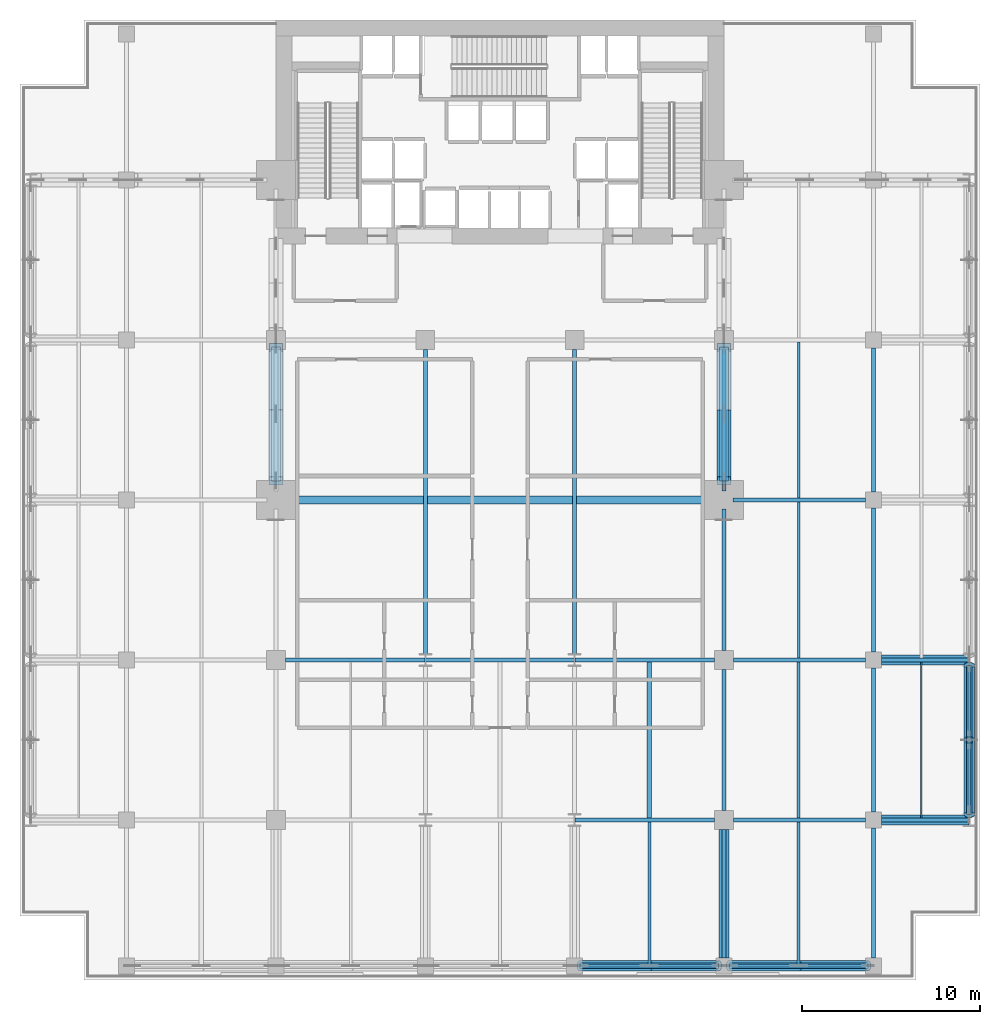
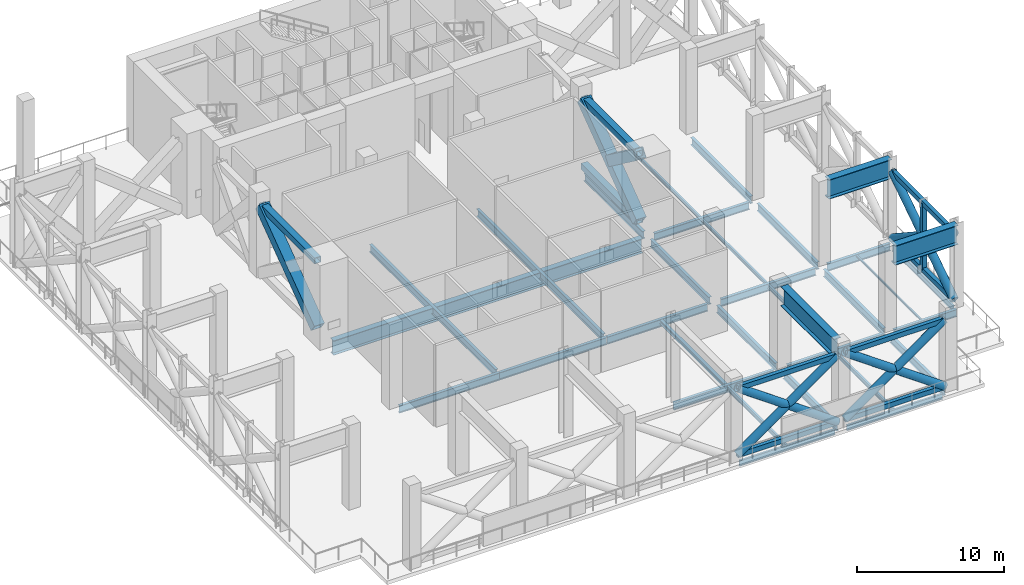
# One storey, part 3 of 16: 33 beams, 22 members.
"""IFC4 building model written with IfcOpenShell, lengths in metres."""

from ifc_helpers import new_model, si_unit, direction, frame, origin, origin_2d, place, context, subcontext, project, spatial, hollow_rectangle, hollow_circle, i_section, extrude, material, material_profile, profile_set, type_object, element, save


model = new_model("IFC4")

# Units and contexts
model_context = context("Model", 3, precision=1e-05, world=origin(), true_north=direction((0.0, 1.0)))
body_context = subcontext(model_context, "Body", "Model", "MODEL_VIEW")
ifc_project = project(units=[si_unit("LENGTHUNIT", "METRE"), si_unit("AREAUNIT", "SQUARE_METRE"), si_unit("VOLUMEUNIT", "CUBIC_METRE"), si_unit("PLANEANGLEUNIT", "RADIAN"), si_unit("MASSUNIT", "GRAM", prefix="KILO")], contexts=[model_context])

# Site, building, storey
site_placement = place(None, origin())
site = spatial("IfcSite", under=ifc_project, at=site_placement, CompositionType="ELEMENT")
building_placement = place(site_placement, origin())
building = spatial("IfcBuilding", under=site, at=building_placement, Name="Maruvema Waterfront Hotel and Observation Tower", CompositionType="ELEMENT")
storey_placement = place(building_placement, frame((0.0, 0.0, 115.5)))
storey = spatial("IfcBuildingStorey", under=building, at=storey_placement, Name="L28", CompositionType="ELEMENT", Elevation=115.5)

# Members
ifc_material_1 = material(Name="Steel ABNT NBR 7007 AR 415 (ASTM A572 Grade 50)", Category="steel")
ifc_material_profile_1 = material_profile(ifc_material_1, hollow_rectangle(XDim=0.5, YDim=0.5, WallThickness=0.028076171875, at=origin_2d()), Name="SHS500x500x28.0")
ifc_profile_set_1 = profile_set([ifc_material_profile_1], Name="Steel ABNT NBR 7007 AR 415 (ASTM A572 Grade 50)")
member_type_1 = type_object("IfcMemberType", Name="Outrigger Truss Chord SHS500x500x28.0", PredefinedType="CHORD", material=ifc_profile_set_1)
for number, where, z_axis, x_axis, name in (
    (1, (25.199951171875, 28.080078125, 5.780029296875), (0.0, 1.0, 0.0), (-1.0, 0.0, 0.0), "L28 Outrigger Truss Top Chord W1"),
    (2, (50.39990234375, 28.080078125, 0.25), (0.0, 1.0, 0.0), (-1.0, 0.0, 0.0), "L28 Outrigger Truss Bottom Chord E1"),
    (3, (50.39990234375, 28.080078125, 5.780029296875), (0.0, 1.0, 0.0), (-1.0, 0.0, 0.0), "L28 Outrigger Truss Top Chord E1"),
):
    element("IfcMember", number, at=place(storey_placement, frame(where, z_axis=z_axis, x_axis=x_axis)), inside=storey, type_object=member_type_1, Name=name, PredefinedType="CHORD", context=body_context, shape_type="SweptSolid", body=[
        extrude(hollow_rectangle(XDim=0.5, YDim=0.5, WallThickness=0.028076171875, at=origin_2d()), origin(), (0.0, 0.0, 1.0), 7.52001953125),
    ])
ifc_material_2 = material(Name="Steel ABNT NBR 7007 AR 415 (ASTM A572 Grade 50)", Category="steel")
ifc_material_profile_2 = material_profile(ifc_material_2, hollow_rectangle(XDim=0.800048828125, YDim=0.800048828125, WallThickness=0.044921875, at=origin_2d()), Name="SHS800x800x45.0")
ifc_profile_set_2 = profile_set([ifc_material_profile_2], Name="Steel ABNT NBR 7007 AR 415 (ASTM A572 Grade 50)")
member_type_2 = type_object("IfcMemberType", Name="Outrigger Truss Diagonal SHS800x800x45.0", PredefinedType="BRACE", material=ifc_profile_set_2)
for number, where, z_axis, x_axis, name in (
    (4, (25.199951171875, 28.080078125, 0.25), (0.0, 0.805620172096, 0.592432391343), (-1.0, 0.0, 0.0), "L28 Outrigger Truss Diagonal W1 Continuous A"),
    (5, (50.39990234375, 28.080078125, 0.25), (0.0, 0.805620172096, 0.592432391343), (-1.0, 0.0, 0.0), "L28 Outrigger Truss Diagonal E1 Continuous A"),
):
    element("IfcMember", number, at=place(storey_placement, frame(where, z_axis=z_axis, x_axis=x_axis)), inside=storey, type_object=member_type_2, Name=name, PredefinedType="BRACE", context=body_context, shape_type="SweptSolid", body=[
        extrude(hollow_rectangle(XDim=0.800048828125, YDim=0.800048828125, WallThickness=0.044921875, at=origin_2d()), origin(), (0.0, 0.0, 1.0), 9.33447265625),
    ])
member_1_placement = place(storey_placement, frame((50.39990234375, 31.823974609375, 3.02685546875), z_axis=(0.0, -0.805619301905, 0.592433574671), x_axis=(1.0, 0.0, 0.0)))
element("IfcMember", 6, at=member_1_placement, inside=storey, type_object=member_type_2, Name="L28 Outrigger Truss Diagonal E1 Split Upper B2", PredefinedType="BRACE", context=body_context, shape_type="SweptSolid", body=[
    extrude(hollow_rectangle(XDim=0.800048828125, YDim=0.800048828125, WallThickness=0.044921875, at=origin_2d()), origin(), (0.0, 0.0, 1.0), 4.647216796875),
])
ifc_material_3 = material(Name="Steel ABNT NBR 7007 AR 415 (ASTM A572 Grade 50)", Category="steel")
ifc_material_profile_3 = material_profile(ifc_material_3, hollow_rectangle(XDim=0.300048828125, YDim=0.39990234375, WallThickness=0.02001953125, at=origin_2d()), Name="RHS400x300x20.0")
ifc_profile_set_3 = profile_set([ifc_material_profile_3], Name="Steel ABNT NBR 7007 AR 415 (ASTM A572 Grade 50)")
member_type_3 = type_object("IfcMemberType", Name="Perimeter Belt Truss Chord RHS400x300x20.0", PredefinedType="CHORD", material=ifc_profile_set_3)
for number, where, z_axis, x_axis, name in (
    (7, (64.199951171875, 9.300048828125, 0.25), (0.0, 1.0, 0.0), (-1.0, 0.0, 0.0), "L28 Perimeter Belt Truss Chord E5"),
    (8, (64.199951171875, 9.300048828125, 5.780029296875), (0.0, 1.0, 0.0), (-1.0, 0.0, 0.0), "L28 Perimeter Belt Truss Top Chord E5"),
):
    element("IfcMember", number, at=place(storey_placement, frame(where, z_axis=z_axis, x_axis=x_axis)), inside=storey, type_object=member_type_3, Name=name, PredefinedType="CHORD", context=body_context, shape_type="SweptSolid", body=[
        extrude(hollow_rectangle(XDim=0.300048828125, YDim=0.39990234375, WallThickness=0.02001953125, at=origin_2d()), origin(), (0.0, 0.0, 1.0), 8.39990234375),
    ])
for number, where, z_axis, x_axis, name in (
    (9, (42.300048828125, 0.800048828125, 0.25), (1.0, 0.0, 0.0), (0.0, 1.0, 0.0), "L28 South Perimeter Belt Truss Chord 4"),
    (10, (42.300048828125, 0.800048828125, 5.780029296875), (1.0, 0.0, 0.0), (0.0, 1.0, 0.0), "L28 South Perimeter Belt Truss Top Chord 4"),
    (11, (50.699951171875, 0.800048828125, 0.25), (1.0, 0.0, 0.0), (0.0, 1.0, 0.0), "L28 South Perimeter Belt Truss Chord 5"),
    (12, (50.699951171875, 0.800048828125, 5.780029296875), (1.0, 0.0, 0.0), (0.0, 1.0, 0.0), "L28 South Perimeter Belt Truss Top Chord 5"),
):
    element("IfcMember", number, at=place(storey_placement, frame(where, z_axis=z_axis, x_axis=x_axis)), inside=storey, type_object=member_type_3, Name=name, PredefinedType="CHORD", context=body_context, shape_type="SweptSolid", body=[
        extrude(hollow_rectangle(XDim=0.300048828125, YDim=0.39990234375, WallThickness=0.02001953125, at=origin_2d()), origin(), (0.0, 0.0, 1.0), 7.800048828125),
    ])
ifc_material_4 = material(Name="Steel ABNT NBR 7007 AR 350 (ASTM A572 Grade 50)", Category="steel")
ifc_material_profile_4 = material_profile(ifc_material_4, hollow_circle(Radius=0.304931640625, WallThickness=0.02490234375, at=origin_2d()), Name="CHS610.0x25.0")
ifc_profile_set_4 = profile_set([ifc_material_profile_4], Name="Steel ABNT NBR 7007 AR 350 (ASTM A572 Grade 50)")
member_type_4 = type_object("IfcMemberType", Name="Perimeter Belt Truss Diagonal CHS610.0x25.0", PredefinedType="BRACE", material=ifc_profile_set_4)
member_2_placement = place(storey_placement, frame((64.199951171875, 9.300048828125, 0.25), z_axis=(0.0, 0.835244562072, 0.549878642547), x_axis=(-1.0, 0.0, 0.0)))
element("IfcMember", 13, at=member_2_placement, inside=storey, type_object=member_type_4, Name="L28 Perimeter Belt Truss Diagonal E5 Continuous A", PredefinedType="BRACE", context=body_context, shape_type="SweptSolid", body=[
    extrude(hollow_circle(Radius=0.304931640625, WallThickness=0.02490234375, at=origin_2d()), origin(), (0.0, 0.0, 1.0), 10.056884765625),
])
for number, where, z_axis, x_axis, name in (
    (14, (64.199951171875, 17.699951171875, 0.25), (0.0, -0.835260962729, 0.549853729769), (1.0, 0.0, 0.0), "L28 Perimeter Belt Truss Diagonal E5 Split Lower B1"),
    (15, (64.199951171875, 13.4833984375, 3.02587890625), (0.0, -0.835238575042, 0.549887736507), (1.0, 0.0, 0.0), "L28 Perimeter Belt Truss Diagonal E5 Split Upper B2"),
):
    element("IfcMember", number, at=place(storey_placement, frame(where, z_axis=z_axis, x_axis=x_axis)), inside=storey, type_object=member_type_4, Name=name, PredefinedType="BRACE", context=body_context, shape_type="SweptSolid", body=[
        extrude(hollow_circle(Radius=0.304931640625, WallThickness=0.02490234375, at=origin_2d()), origin(), (0.0, 0.0, 1.0), 5.008544921875),
    ])
member_3_placement = place(storey_placement, frame((42.300048828125, 0.800048828125, 0.25), z_axis=(0.815778013583, 0.0, 0.578365137741), x_axis=(0.0, 1.0, 0.0)))
element("IfcMember", 16, at=member_3_placement, inside=storey, type_object=member_type_4, Name="L28 South Perimeter Belt Truss Diagonal 4 Continuous A", PredefinedType="BRACE", context=body_context, shape_type="SweptSolid", body=[
    extrude(hollow_circle(Radius=0.304931640625, WallThickness=0.02490234375, at=origin_2d()), origin(), (0.0, 0.0, 1.0), 9.5615234375),
])
member_4_placement = place(storey_placement, frame((50.10009765625, 0.800048828125, 0.25), z_axis=(-0.815786560576, 0.0, 0.578353082108), x_axis=(0.0, -1.0, 0.0)))
element("IfcMember", 17, at=member_4_placement, inside=storey, type_object=member_type_4, Name="L28 South Perimeter Belt Truss Diagonal 4 Split Lower B1", PredefinedType="BRACE", context=body_context, shape_type="SweptSolid", body=[
    extrude(hollow_circle(Radius=0.304931640625, WallThickness=0.02490234375, at=origin_2d()), origin(), (0.0, 0.0, 1.0), 4.7607421875),
])
member_5_placement = place(storey_placement, frame((46.18359375, 0.800048828125, 3.026611328125), z_axis=(-0.815769406223, 0.0, 0.578377278141), x_axis=(0.0, -1.0, 0.0)))
element("IfcMember", 18, at=member_5_placement, inside=storey, type_object=member_type_4, Name="L28 South Perimeter Belt Truss Diagonal 4 Split Upper B2", PredefinedType="BRACE", context=body_context, shape_type="SweptSolid", body=[
    extrude(hollow_circle(Radius=0.304931640625, WallThickness=0.02490234375, at=origin_2d()), origin(), (0.0, 0.0, 1.0), 4.760498046875),
])
member_6_placement = place(storey_placement, frame((50.699951171875, 0.800048828125, 0.25), z_axis=(0.815778013583, 0.0, 0.578365137741), x_axis=(0.0, 1.0, 0.0)))
element("IfcMember", 19, at=member_6_placement, inside=storey, type_object=member_type_4, Name="L28 South Perimeter Belt Truss Diagonal 5 Continuous A", PredefinedType="BRACE", context=body_context, shape_type="SweptSolid", body=[
    extrude(hollow_circle(Radius=0.304931640625, WallThickness=0.02490234375, at=origin_2d()), origin(), (0.0, 0.0, 1.0), 9.5615234375),
])
for number, where, z_axis, x_axis, name in (
    (20, (58.5, 0.800048828125, 0.25), (-0.815786560576, 0.0, 0.578353082108), (0.0, -1.0, 0.0), "L28 South Perimeter Belt Truss Diagonal 5 Split Lower B1"),
    (21, (54.583740234375, 0.800048828125, 3.026611328125), (-0.815786560576, 0.0, 0.578353082108), (0.0, -1.0, 0.0), "L28 South Perimeter Belt Truss Diagonal 5 Split Upper B2"),
):
    element("IfcMember", number, at=place(storey_placement, frame(where, z_axis=z_axis, x_axis=x_axis)), inside=storey, type_object=member_type_4, Name=name, PredefinedType="BRACE", context=body_context, shape_type="SweptSolid", body=[
        extrude(hollow_circle(Radius=0.304931640625, WallThickness=0.02490234375, at=origin_2d()), origin(), (0.0, 0.0, 1.0), 4.7607421875),
    ])
ifc_material_5 = material(Name="Steel ABNT NBR 7007 AR 415 (ASTM A572 Grade 50)", Category="steel")
ifc_material_profile_5 = material_profile(ifc_material_5, hollow_rectangle(XDim=0.35009765625, YDim=0.35009765625, WallThickness=0.02001953125, at=origin_2d()), Name="SHS350x350x20.0")
ifc_profile_set_5 = profile_set([ifc_material_profile_5], Name="Steel ABNT NBR 7007 AR 415 (ASTM A572 Grade 50)")
member_type_5 = type_object("IfcMemberType", Name="Perimeter Belt Truss Post SHS350x350x20.0", PredefinedType="POST", material=ifc_profile_set_5)
member_7_placement = place(storey_placement, frame((64.199951171875, 13.5, 0.25), z_axis=(0.0, 0.0, 1.0), x_axis=(1.0, 0.0, 0.0)))
element("IfcMember", 22, at=member_7_placement, inside=storey, type_object=member_type_5, Name="L28 Perimeter Belt Truss Post E5", PredefinedType="POST", context=body_context, shape_type="SweptSolid", body=[
    extrude(hollow_rectangle(XDim=0.35009765625, YDim=0.35009765625, WallThickness=0.02001953125, at=origin_2d()), origin(), (0.0, 0.0, 1.0), 5.530029296875),
])

# Beams
ifc_material_6 = material(Name="Steel ASTM A572 Grade 50", Category="steel")
ifc_material_profile_6 = material_profile(ifc_material_6, i_section(OverallWidth=0.153076171875, OverallDepth=0.455078125, WebThickness=0.008056640625, FlangeThickness=0.01318359375, FilletRadius=0.014892578125, at=origin_2d()), Name="W460x60.0")
ifc_profile_set_6 = profile_set([ifc_material_profile_6], Name="Steel ASTM A572 Grade 50")
beam_type_1 = type_object("IfcBeamType", Name="Perimeter Spandrel Beam W460x60.0", PredefinedType="SPANDREL", material=ifc_profile_set_6)
for number, where, z_axis, x_axis, name in (
    (23, (42.449951171875, 0.800048828125, -0.527587890625), (1.0, 0.0, 0.0), (0.0, 1.0, 0.0), "L28 Floor Girder EW-04"),
    (24, (50.85009765625, 0.800048828125, -0.527587890625), (1.0, 0.0, 0.0), (0.0, 1.0, 0.0), "L28 Floor Girder EW-05"),
):
    element("IfcBeam", number, at=place(storey_placement, frame(where, z_axis=z_axis, x_axis=x_axis)), inside=storey, type_object=beam_type_1, Name=name, PredefinedType="SPANDREL", context=body_context, shape_type="SweptSolid", body=[
        extrude(i_section(OverallWidth=0.153076171875, OverallDepth=0.455078125, WebThickness=0.008056640625, FlangeThickness=0.01318359375, FilletRadius=0.014892578125, at=origin_2d()), origin(), (0.0, 0.0, 1.0), 7.5),
    ])
beam_1_placement = place(storey_placement, frame((64.199951171875, 9.35009765625, -0.527587890625), z_axis=(0.0, 1.0, 0.0), x_axis=(-1.0, 0.0, 0.0)))
element("IfcBeam", 25, at=beam_1_placement, inside=storey, type_object=beam_type_1, Name="L28 Floor Girder NS-33", PredefinedType="SPANDREL", context=body_context, shape_type="SweptSolid", body=[
    extrude(i_section(OverallWidth=0.153076171875, OverallDepth=0.455078125, WebThickness=0.008056640625, FlangeThickness=0.01318359375, FilletRadius=0.014892578125, at=origin_2d()), origin(), (0.0, 0.0, 1.0), 8.2998046875),
])
ifc_material_7 = material(Name="Steel ASTM A572 Grade 50", Category="steel")
ifc_material_profile_7 = material_profile(ifc_material_7, i_section(OverallWidth=0.22900390625, OverallDepth=0.612060546875, WebThickness=0.011962890625, FlangeThickness=0.01953125, FilletRadius=0.01806640625, at=origin_2d()), Name="W610x125.0")
ifc_profile_set_7 = profile_set([ifc_material_profile_7], Name="Steel ASTM A572 Grade 50")
beam_type_2 = type_object("IfcBeamType", Name="Primary Floor Girder W610x125.0", PredefinedType="BEAM", material=ifc_profile_set_7)
beam_2_placement = place(storey_placement, frame((42.013916015625, 9.0, -0.60595703125), z_axis=(1.0, 0.0, 0.0), x_axis=(0.0, 1.0, 0.0)))
element("IfcBeam", 26, at=beam_2_placement, inside=storey, type_object=beam_type_2, Name="L28 Floor Girder EW-10", PredefinedType="BEAM", context=body_context, shape_type="SweptSolid", body=[
    extrude(i_section(OverallWidth=0.22900390625, OverallDepth=0.612060546875, WebThickness=0.011962890625, FlangeThickness=0.01953125, FilletRadius=0.01806640625, at=origin_2d()), origin(), (0.0, 0.0, 1.0), 7.861083984375),
])
beam_3_placement = place(storey_placement, frame((50.925048828125, 9.0, -0.60595703125), z_axis=(1.0, 0.0, 0.0), x_axis=(0.0, 1.0, 0.0)))
element("IfcBeam", 27, at=beam_3_placement, inside=storey, type_object=beam_type_2, Name="L28 Floor Girder EW-11", PredefinedType="BEAM", context=body_context, shape_type="SweptSolid", body=[
    extrude(i_section(OverallWidth=0.22900390625, OverallDepth=0.612060546875, WebThickness=0.011962890625, FlangeThickness=0.01953125, FilletRadius=0.01806640625, at=origin_2d()), origin(), (0.0, 0.0, 1.0), 7.425048828125),
])
beam_4_placement = place(storey_placement, frame((59.25, 9.0, -0.60595703125), z_axis=(1.0, 0.0, 0.0), x_axis=(0.0, 1.0, 0.0)))
element("IfcBeam", 28, at=beam_4_placement, inside=storey, type_object=beam_type_2, Name="L28 Floor Girder EW-12", PredefinedType="BEAM", context=body_context, shape_type="SweptSolid", body=[
    extrude(i_section(OverallWidth=0.22900390625, OverallDepth=0.612060546875, WebThickness=0.011962890625, FlangeThickness=0.01953125, FilletRadius=0.01806640625, at=origin_2d()), origin(), (0.0, 0.0, 1.0), 4.93603515625),
])
beam_5_placement = place(storey_placement, frame((25.72509765625, 18.0, -0.60595703125), z_axis=(1.0, 0.0, 0.0), x_axis=(0.0, 1.0, 0.0)))
element("IfcBeam", 29, at=beam_5_placement, inside=storey, type_object=beam_type_2, Name="L28 Floor Girder EW-15", PredefinedType="BEAM", context=body_context, shape_type="SweptSolid", body=[
    extrude(i_section(OverallWidth=0.22900390625, OverallDepth=0.612060546875, WebThickness=0.011962890625, FlangeThickness=0.01953125, FilletRadius=0.01806640625, at=origin_2d()), origin(), (0.0, 0.0, 1.0), 7.86083984375),
])
beam_6_placement = place(storey_placement, frame((33.614013671875, 18.0, -0.60595703125), z_axis=(1.0, 0.0, 0.0), x_axis=(0.0, 1.0, 0.0)))
element("IfcBeam", 30, at=beam_6_placement, inside=storey, type_object=beam_type_2, Name="L28 Floor Girder EW-16", PredefinedType="BEAM", context=body_context, shape_type="SweptSolid", body=[
    extrude(i_section(OverallWidth=0.22900390625, OverallDepth=0.612060546875, WebThickness=0.011962890625, FlangeThickness=0.01953125, FilletRadius=0.01806640625, at=origin_2d()), origin(), (0.0, 0.0, 1.0), 8.3720703125),
])
beam_7_placement = place(storey_placement, frame((42.013916015625, 18.0, -0.60595703125), z_axis=(1.0, 0.0, 0.0), x_axis=(0.0, 1.0, 0.0)))
element("IfcBeam", 31, at=beam_7_placement, inside=storey, type_object=beam_type_2, Name="L28 Floor Girder EW-17", PredefinedType="BEAM", context=body_context, shape_type="SweptSolid", body=[
    extrude(i_section(OverallWidth=0.22900390625, OverallDepth=0.612060546875, WebThickness=0.011962890625, FlangeThickness=0.01953125, FilletRadius=0.01806640625, at=origin_2d()), origin(), (0.0, 0.0, 1.0), 7.861083984375),
])
beam_8_placement = place(storey_placement, frame((50.925048828125, 18.0, -0.60595703125), z_axis=(1.0, 0.0, 0.0), x_axis=(0.0, 1.0, 0.0)))
element("IfcBeam", 32, at=beam_8_placement, inside=storey, type_object=beam_type_2, Name="L28 Floor Girder EW-18", PredefinedType="BEAM", context=body_context, shape_type="SweptSolid", body=[
    extrude(i_section(OverallWidth=0.22900390625, OverallDepth=0.612060546875, WebThickness=0.011962890625, FlangeThickness=0.01953125, FilletRadius=0.01806640625, at=origin_2d()), origin(), (0.0, 0.0, 1.0), 7.425048828125),
])
beam_9_placement = place(storey_placement, frame((59.25, 18.0, -0.60595703125), z_axis=(1.0, 0.0, 0.0), x_axis=(0.0, 1.0, 0.0)))
element("IfcBeam", 33, at=beam_9_placement, inside=storey, type_object=beam_type_2, Name="L28 Floor Girder EW-19", PredefinedType="BEAM", context=body_context, shape_type="SweptSolid", body=[
    extrude(i_section(OverallWidth=0.22900390625, OverallDepth=0.612060546875, WebThickness=0.011962890625, FlangeThickness=0.01953125, FilletRadius=0.01806640625, at=origin_2d()), origin(), (0.0, 0.0, 1.0), 4.93603515625),
])
beam_10_placement = place(storey_placement, frame((50.89990234375, 27.0, -0.60595703125), z_axis=(1.0, 0.0, 0.0), x_axis=(0.0, 1.0, 0.0)))
element("IfcBeam", 34, at=beam_10_placement, inside=storey, type_object=beam_type_2, Name="L28 Floor Girder EW-23", PredefinedType="BEAM", context=body_context, shape_type="SweptSolid", body=[
    extrude(i_section(OverallWidth=0.22900390625, OverallDepth=0.612060546875, WebThickness=0.011962890625, FlangeThickness=0.01953125, FilletRadius=0.01806640625, at=origin_2d()), origin(), (0.0, 0.0, 1.0), 7.4501953125),
])
for number, where, z_axis, x_axis, name in (
    (35, (33.60009765625, 18.35009765625, -0.60595703125), (0.0, 1.0, 0.0), (-1.0, 0.0, 0.0), "L28 Floor Girder NS-18"),
    (36, (42.0, 18.35009765625, -0.60595703125), (0.0, 1.0, 0.0), (-1.0, 0.0, 0.0), "L28 Floor Girder NS-21"),
):
    element("IfcBeam", number, at=place(storey_placement, frame(where, z_axis=z_axis, x_axis=x_axis)), inside=storey, type_object=beam_type_2, Name=name, PredefinedType="BEAM", context=body_context, shape_type="SweptSolid", body=[
        extrude(i_section(OverallWidth=0.22900390625, OverallDepth=0.612060546875, WebThickness=0.011962890625, FlangeThickness=0.01953125, FilletRadius=0.01806640625, at=origin_2d()), origin(), (0.0, 0.0, 1.0), 17.125),
    ])
beam_11_placement = place(storey_placement, frame((50.39990234375, 1.25, -0.60595703125), z_axis=(0.0, 1.0, 0.0), x_axis=(-1.0, 0.0, 0.0)))
element("IfcBeam", 37, at=beam_11_placement, inside=storey, type_object=beam_type_2, Name="L28 Floor Girder NS-22", PredefinedType="BEAM", context=body_context, shape_type="SweptSolid", body=[
    extrude(i_section(OverallWidth=0.22900390625, OverallDepth=0.612060546875, WebThickness=0.011962890625, FlangeThickness=0.01953125, FilletRadius=0.01806640625, at=origin_2d()), origin(), (0.0, 0.0, 1.0), 7.22509765625),
])
beam_12_placement = place(storey_placement, frame((50.39990234375, 9.52490234375, -0.60595703125), z_axis=(0.0, 1.0, 0.0), x_axis=(-1.0, 0.0, 0.0)))
element("IfcBeam", 38, at=beam_12_placement, inside=storey, type_object=beam_type_2, Name="L28 Floor Girder NS-23", PredefinedType="BEAM", context=body_context, shape_type="SweptSolid", body=[
    extrude(i_section(OverallWidth=0.22900390625, OverallDepth=0.612060546875, WebThickness=0.011962890625, FlangeThickness=0.01953125, FilletRadius=0.01806640625, at=origin_2d()), origin(), (0.0, 0.0, 1.0), 7.9501953125),
])
for number, where, z_axis, x_axis, name in (
    (39, (50.39990234375, 18.52490234375, -0.60595703125), (0.0, 1.0, 0.0), (-1.0, 0.0, 0.0), "L28 Floor Girder NS-24"),
    (40, (50.39990234375, 27.5, -0.60595703125), (0.0, 1.0, 0.0), (-1.0, 0.0, 0.0), "L28 Floor Girder NS-25"),
):
    element("IfcBeam", number, at=place(storey_placement, frame(where, z_axis=z_axis, x_axis=x_axis)), inside=storey, type_object=beam_type_2, Name=name, PredefinedType="BEAM", context=body_context, shape_type="SweptSolid", body=[
        extrude(i_section(OverallWidth=0.22900390625, OverallDepth=0.612060546875, WebThickness=0.011962890625, FlangeThickness=0.01953125, FilletRadius=0.01806640625, at=origin_2d()), origin(), (0.0, 0.0, 1.0), 7.97509765625),
    ])
beam_13_placement = place(storey_placement, frame((58.800048828125, 1.25, -0.60595703125), z_axis=(0.0, 1.0, 0.0), x_axis=(-1.0, 0.0, 0.0)))
element("IfcBeam", 41, at=beam_13_placement, inside=storey, type_object=beam_type_2, Name="L28 Floor Girder NS-27", PredefinedType="BEAM", context=body_context, shape_type="SweptSolid", body=[
    extrude(i_section(OverallWidth=0.22900390625, OverallDepth=0.612060546875, WebThickness=0.011962890625, FlangeThickness=0.01953125, FilletRadius=0.01806640625, at=origin_2d()), origin(), (0.0, 0.0, 1.0), 7.300048828125),
])
for number, where, z_axis, x_axis, name in (
    (42, (58.800048828125, 9.449951171875, -0.60595703125), (0.0, 1.0, 0.0), (-1.0, 0.0, 0.0), "L28 Floor Girder NS-28"),
    (43, (58.800048828125, 18.449951171875, -0.60595703125), (0.0, 1.0, 0.0), (-1.0, 0.0, 0.0), "L28 Floor Girder NS-29"),
    (44, (58.800048828125, 27.449951171875, -0.60595703125), (0.0, 1.0, 0.0), (-1.0, 0.0, 0.0), "L28 Floor Girder NS-30"),
):
    element("IfcBeam", number, at=place(storey_placement, frame(where, z_axis=z_axis, x_axis=x_axis)), inside=storey, type_object=beam_type_2, Name=name, PredefinedType="BEAM", context=body_context, shape_type="SweptSolid", body=[
        extrude(i_section(OverallWidth=0.22900390625, OverallDepth=0.612060546875, WebThickness=0.011962890625, FlangeThickness=0.01953125, FilletRadius=0.01806640625, at=origin_2d()), origin(), (0.0, 0.0, 1.0), 8.10009765625),
    ])
ifc_material_8 = material(Name="Steel ASTM A572 Grade 50", Category="steel")
ifc_material_profile_8 = material_profile(ifc_material_8, i_section(OverallWidth=0.10009765625, OverallDepth=0.153076171875, WebThickness=0.005859375, FlangeThickness=0.007080078125, FilletRadius=0.008056640625, at=origin_2d()), Name="W150x18.0")
ifc_profile_set_8 = profile_set([ifc_material_profile_8], Name="Steel ASTM A572 Grade 50")
beam_type_3 = type_object("IfcBeamType", Name="Secondary Floor Joist W150x18.0", PredefinedType="JOIST", material=ifc_profile_set_8)
beam_14_placement = place(storey_placement, frame((61.5, 9.114501953125, -0.37646484375), z_axis=(0.0, 1.0, 0.0), x_axis=(-1.0, 0.0, 0.0)))
element("IfcBeam", 45, at=beam_14_placement, inside=storey, type_object=beam_type_3, Name="L28 Secondary Floor Joist JS-21", PredefinedType="JOIST", context=body_context, shape_type="SweptSolid", body=[
    extrude(i_section(OverallWidth=0.10009765625, OverallDepth=0.153076171875, WebThickness=0.005859375, FlangeThickness=0.007080078125, FilletRadius=0.008056640625, at=origin_2d()), origin(), (0.0, 0.0, 1.0), 8.77099609375),
])
ifc_material_9 = material(Name="Steel ASTM A572 Grade 50", Category="steel")
ifc_material_profile_9 = material_profile(ifc_material_9, i_section(OverallWidth=0.14599609375, OverallDepth=0.258056640625, WebThickness=0.006103515625, FlangeThickness=0.009033203125, FilletRadius=0.012939453125, at=origin_2d()), Name="W250x32.7")
ifc_profile_set_9 = profile_set([ifc_material_profile_9], Name="Steel ASTM A572 Grade 50")
beam_type_4 = type_object("IfcBeamType", Name="Secondary Floor Joist W250x32.7", PredefinedType="JOIST", material=ifc_profile_set_9)
beam_15_placement = place(storey_placement, frame((54.60009765625, 27.114501953125, -0.428955078125), z_axis=(0.0, 1.0, 0.0), x_axis=(-1.0, 0.0, 0.0)))
element("IfcBeam", 46, at=beam_15_placement, inside=storey, type_object=beam_type_4, Name="L28 Secondary Floor Joist JS-19", PredefinedType="JOIST", context=body_context, shape_type="SweptSolid", body=[
    extrude(i_section(OverallWidth=0.14599609375, OverallDepth=0.258056640625, WebThickness=0.006103515625, FlangeThickness=0.009033203125, FilletRadius=0.012939453125, at=origin_2d()), origin(), (0.0, 0.0, 1.0), 8.77099609375),
])
ifc_material_10 = material(Name="Steel ASTM A572 Grade 50", Category="steel")
ifc_material_profile_10 = material_profile(ifc_material_10, i_section(OverallWidth=0.14794921875, OverallDepth=0.26611328125, WebThickness=0.007568359375, FlangeThickness=0.012939453125, FilletRadius=0.012939453125, at=origin_2d()), Name="W250x44.8")
ifc_profile_set_10 = profile_set([ifc_material_profile_10], Name="Steel ASTM A572 Grade 50")
beam_type_5 = type_object("IfcBeamType", Name="Secondary Floor Joist W250x44.8", PredefinedType="JOIST", material=ifc_profile_set_10)
beam_16_placement = place(storey_placement, frame((54.60009765625, 18.114501953125, -0.43310546875), z_axis=(0.0, 1.0, 0.0), x_axis=(-1.0, 0.0, 0.0)))
element("IfcBeam", 47, at=beam_16_placement, inside=storey, type_object=beam_type_5, Name="L28 Secondary Floor Joist JS-18", PredefinedType="JOIST", context=body_context, shape_type="SweptSolid", body=[
    extrude(i_section(OverallWidth=0.14794921875, OverallDepth=0.26611328125, WebThickness=0.007568359375, FlangeThickness=0.012939453125, FilletRadius=0.012939453125, at=origin_2d()), origin(), (0.0, 0.0, 1.0), 8.77099609375),
])
ifc_material_11 = material(Name="Steel ASTM A572 Grade 50", Category="steel")
ifc_material_profile_11 = material_profile(ifc_material_11, i_section(OverallWidth=0.1650390625, OverallDepth=0.31005859375, WebThickness=0.005859375, FlangeThickness=0.009765625, FilletRadius=0.012939453125, at=origin_2d()), Name="W310x38.7")
ifc_profile_set_11 = profile_set([ifc_material_profile_11], Name="Steel ASTM A572 Grade 50")
beam_type_6 = type_object("IfcBeamType", Name="Secondary Floor Joist W310x38.7", PredefinedType="JOIST", material=ifc_profile_set_11)
beam_17_placement = place(storey_placement, frame((54.60009765625, 9.114501953125, -0.455078125), z_axis=(0.0, 1.0, 0.0), x_axis=(-1.0, 0.0, 0.0)))
element("IfcBeam", 48, at=beam_17_placement, inside=storey, type_object=beam_type_6, Name="L28 Secondary Floor Joist JS-17", PredefinedType="JOIST", context=body_context, shape_type="SweptSolid", body=[
    extrude(i_section(OverallWidth=0.1650390625, OverallDepth=0.31005859375, WebThickness=0.005859375, FlangeThickness=0.009765625, FilletRadius=0.012939453125, at=origin_2d()), origin(), (0.0, 0.0, 1.0), 8.77099609375),
])
ifc_material_12 = material(Name="Steel ASTM A572 Grade 50", Category="steel")
ifc_material_profile_12 = material_profile(ifc_material_12, i_section(OverallWidth=0.1669921875, OverallDepth=0.31689453125, WebThickness=0.007568359375, FlangeThickness=0.01318359375, FilletRadius=0.012939453125, at=origin_2d()), Name="W310x52.0")
ifc_profile_set_12 = profile_set([ifc_material_profile_12], Name="Steel ASTM A572 Grade 50")
beam_type_7 = type_object("IfcBeamType", Name="Secondary Floor Joist W310x52.0", PredefinedType="JOIST", material=ifc_profile_set_12)
beam_18_placement = place(storey_placement, frame((54.60009765625, 0.87646484375, -0.45849609375), z_axis=(0.0, 1.0, 0.0), x_axis=(-1.0, 0.0, 0.0)))
element("IfcBeam", 49, at=beam_18_placement, inside=storey, type_object=beam_type_7, Name="L28 Secondary Floor Joist JS-16", PredefinedType="JOIST", context=body_context, shape_type="SweptSolid", body=[
    extrude(i_section(OverallWidth=0.1669921875, OverallDepth=0.31689453125, WebThickness=0.007568359375, FlangeThickness=0.01318359375, FilletRadius=0.012939453125, at=origin_2d()), origin(), (0.0, 0.0, 1.0), 8.009033203125),
])
ifc_material_13 = material(Name="Steel ASTM A572 Grade 50", Category="steel")
ifc_material_profile_13 = material_profile(ifc_material_13, i_section(OverallWidth=0.25390625, OverallDepth=0.305908203125, WebThickness=0.0087890625, FlangeThickness=0.0146484375, FilletRadius=0.014892578125, at=origin_2d()), Name="W310x79.0")
ifc_profile_set_13 = profile_set([ifc_material_profile_13], Name="Steel ASTM A572 Grade 50")
beam_type_8 = type_object("IfcBeamType", Name="Secondary Floor Joist W310x79.0", PredefinedType="JOIST", material=ifc_profile_set_13)
beam_19_placement = place(storey_placement, frame((46.199951171875, 9.114501953125, -0.452880859375), z_axis=(0.0, 1.0, 0.0), x_axis=(-1.0, 0.0, 0.0)))
element("IfcBeam", 50, at=beam_19_placement, inside=storey, type_object=beam_type_8, Name="L28 Secondary Floor Joist JS-15", PredefinedType="JOIST", context=body_context, shape_type="SweptSolid", body=[
    extrude(i_section(OverallWidth=0.25390625, OverallDepth=0.305908203125, WebThickness=0.0087890625, FlangeThickness=0.0146484375, FilletRadius=0.014892578125, at=origin_2d()), origin(), (0.0, 0.0, 1.0), 8.77099609375),
])
ifc_material_14 = material(Name="Steel ASTM A572 Grade 50", Category="steel")
ifc_material_profile_14 = material_profile(ifc_material_14, i_section(OverallWidth=0.1708984375, OverallDepth=0.35498046875, WebThickness=0.007080078125, FlangeThickness=0.01171875, FilletRadius=0.014892578125, at=origin_2d()), Name="W360x51.0")
ifc_profile_set_14 = profile_set([ifc_material_profile_14], Name="Steel ASTM A572 Grade 50")
beam_type_9 = type_object("IfcBeamType", Name="Secondary Floor Joist W360x51.0", PredefinedType="JOIST", material=ifc_profile_set_14)
beam_20_placement = place(storey_placement, frame((46.199951171875, 0.87646484375, -0.4775390625), z_axis=(0.0, 1.0, 0.0), x_axis=(-1.0, 0.0, 0.0)))
element("IfcBeam", 51, at=beam_20_placement, inside=storey, type_object=beam_type_9, Name="L28 Secondary Floor Joist JS-14", PredefinedType="JOIST", context=body_context, shape_type="SweptSolid", body=[
    extrude(i_section(OverallWidth=0.1708984375, OverallDepth=0.35498046875, WebThickness=0.007080078125, FlangeThickness=0.01171875, FilletRadius=0.014892578125, at=origin_2d()), origin(), (0.0, 0.0, 1.0), 8.009033203125),
])
ifc_material_15 = material(Name="Steel ABNT NBR 7007 AR 415 (ASTM A572 Grade 50)", Category="steel")
ifc_material_profile_15 = material_profile(ifc_material_15, i_section(OverallWidth=0.550048828125, OverallDepth=1.60009765625, WebThickness=0.02197265625, FlangeThickness=0.0400390625, at=origin_2d()), Name="VS1600x548")
ifc_profile_set_15 = profile_set([ifc_material_profile_15], Name="Steel ABNT NBR 7007 AR 415 (ASTM A572 Grade 50)")
beam_type_10 = type_object("IfcBeamType", Name="Setback Transfer Girder VS1600x548", PredefinedType="USERDEFINED", material=ifc_profile_set_15)
for number, where, z_axis, x_axis, name in (
    (52, (59.25, 9.0, 5.9599609375), (1.0, 0.0, 0.0), (0.0, 1.0, 0.0), "L28 Setback Transfer Girder E Y=9.0m"),
    (53, (59.25, 18.0, 5.9599609375), (1.0, 0.0, 0.0), (0.0, 1.0, 0.0), "L28 Setback Transfer Girder E Y=18.0m"),
):
    element("IfcBeam", number, at=place(storey_placement, frame(where, z_axis=z_axis, x_axis=x_axis)), inside=storey, type_object=beam_type_10, Name=name, ObjectType="TRANSFER GIRDER", PredefinedType="USERDEFINED", context=body_context, shape_type="SweptSolid", body=[
        extrude(i_section(OverallWidth=0.550048828125, OverallDepth=1.60009765625, WebThickness=0.02197265625, FlangeThickness=0.0400390625, at=origin_2d()), origin(), (0.0, 0.0, 1.0), 4.93603515625),
    ])
beam_21_placement = place(storey_placement, frame((50.39990234375, 1.25, 5.9599609375), z_axis=(0.0, 1.0, 0.0), x_axis=(-1.0, 0.0, 0.0)))
element("IfcBeam", 54, at=beam_21_placement, inside=storey, type_object=beam_type_10, Name="L28 South Setback Transfer Girder X=50.4m", ObjectType="TRANSFER GIRDER", PredefinedType="USERDEFINED", context=body_context, shape_type="SweptSolid", body=[
    extrude(i_section(OverallWidth=0.550048828125, OverallDepth=1.60009765625, WebThickness=0.02197265625, FlangeThickness=0.0400390625, at=origin_2d()), origin(), (0.0, 0.0, 1.0), 7.22509765625),
])
ifc_material_16 = material(Name="Steel ABNT NBR 7007 AR 415 (ASTM A572 Grade 50)", Category="steel")
ifc_material_profile_16 = material_profile(ifc_material_16, i_section(OverallWidth=0.449951171875, OverallDepth=1.199951171875, WebThickness=0.01904296875, FlangeThickness=0.031982421875, at=origin_2d()), Name="VS1200x366")
ifc_profile_set_16 = profile_set([ifc_material_profile_16], Name="Steel ABNT NBR 7007 AR 415 (ASTM A572 Grade 50)")
beam_type_11 = type_object("IfcBeamType", Name="Upper Setback Transfer Girder VS1200x366", PredefinedType="USERDEFINED", material=ifc_profile_set_16)
beam_22_placement = place(storey_placement, frame((25.699951171875, 27.0, -0.89990234375), z_axis=(1.0, 0.0, 0.0), x_axis=(0.0, 1.0, 0.0)))
element("IfcBeam", 55, at=beam_22_placement, inside=storey, type_object=beam_type_11, Name="L28 Floor Girder EW-22", ObjectType="TRANSFER GIRDER", PredefinedType="USERDEFINED", context=body_context, shape_type="SweptSolid", body=[
    extrude(i_section(OverallWidth=0.449951171875, OverallDepth=1.199951171875, WebThickness=0.01904296875, FlangeThickness=0.031982421875, at=origin_2d()), origin(), (0.0, 0.0, 1.0), 24.199951171875),
])

save(model, "model.ifc")
